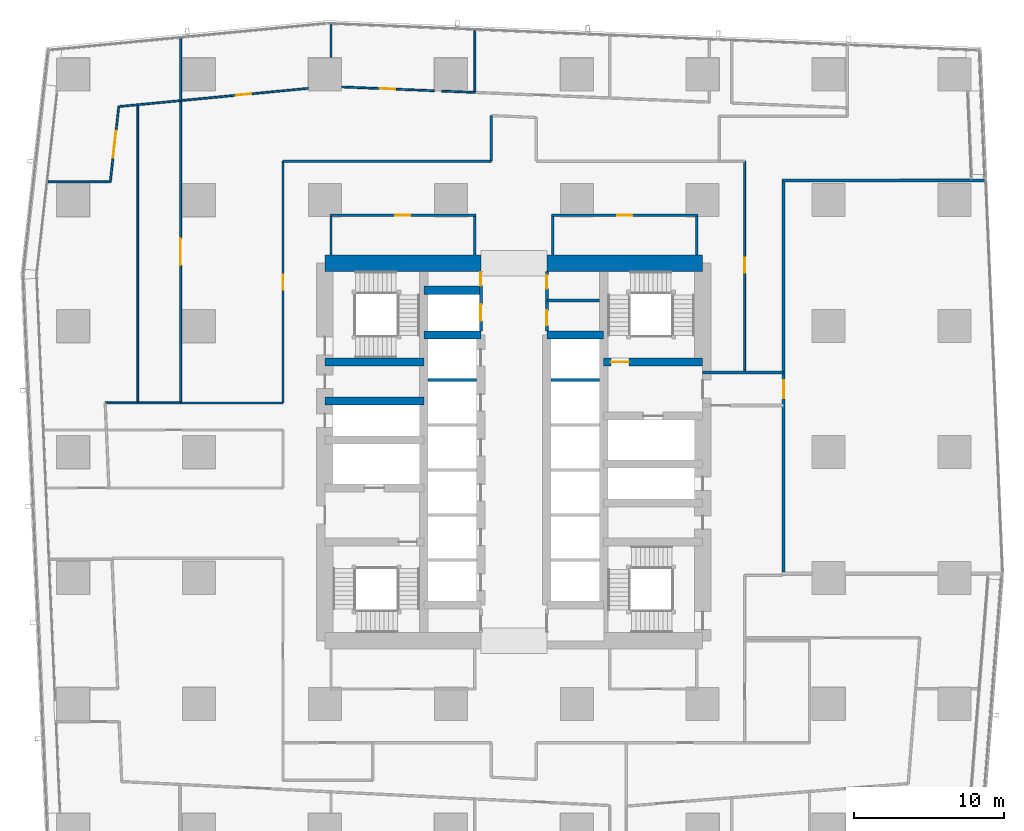
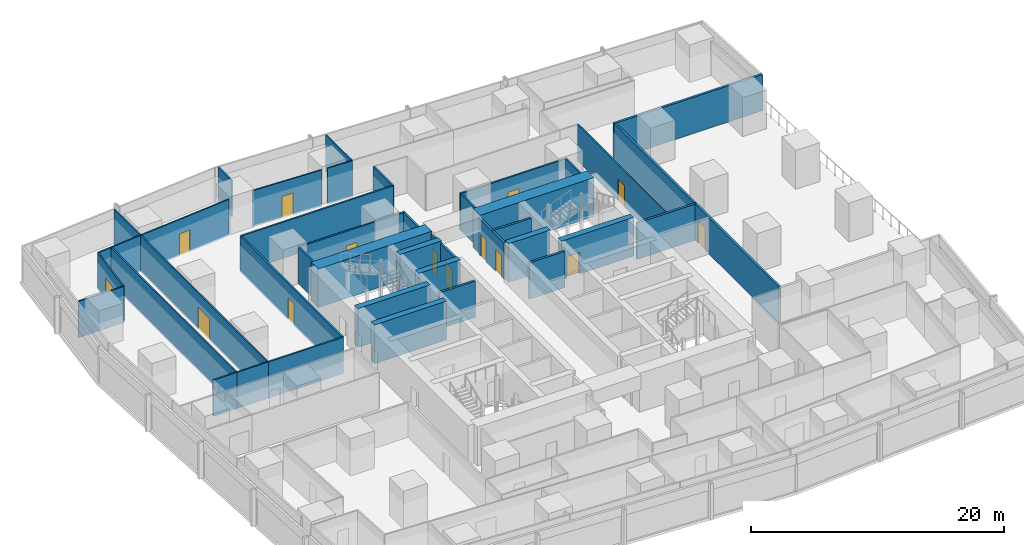
# One storey, part 32 of 42: 40 walls, 14 doors, 14 openings.
"""IFC4 building model written with IfcOpenShell, lengths in metres."""

from ifc_helpers import new_model, si_unit, direction, frame, frame_2d, origin, place, context, subcontext, project, spatial, rectangle, extrude, material, layer, layer_set, type_object, element, fill, save


model = new_model("IFC4")

# Units and contexts
model_context = context("Model", 3, precision=1e-05, world=origin(), true_north=direction((0.0, 1.0)))
body_context = subcontext(model_context, "Body", "Model", "MODEL_VIEW")
ifc_project = project(units=[si_unit("LENGTHUNIT", "METRE"), si_unit("AREAUNIT", "SQUARE_METRE"), si_unit("VOLUMEUNIT", "CUBIC_METRE"), si_unit("PLANEANGLEUNIT", "RADIAN"), si_unit("MASSUNIT", "GRAM", prefix="KILO")], contexts=[model_context])

# Site, building, storey
site_placement = place(None, origin())
site = spatial("IfcSite", under=ifc_project, at=site_placement, CompositionType="ELEMENT")
building_placement = place(site_placement, origin())
building = spatial("IfcBuilding", under=site, at=building_placement, Name="Rekha Terrace Tower", CompositionType="ELEMENT")
storey_placement = place(building_placement, frame((0.0, 0.0, 40.39990234375)))
storey = spatial("IfcBuildingStorey", under=building, at=storey_placement, Name="L09", CompositionType="ELEMENT", Elevation=40.39990234375)

# Walls
ifc_material_1 = material(Name="Concrete M70", Category="concrete")
ifc_layer_1 = layer(ifc_material_1, 0.550048828125)
ifc_layer_set_1 = layer_set([ifc_layer_1], Name="Concrete M70")
wall_type_1 = type_object("IfcWallType", Name="CI1 550 core internal shear wall", PredefinedType="SHEAR", material=ifc_layer_set_1)
for number, where, z_axis, x_axis, name in (
    (1, (31.800048828125, 41.39990234375, 0.0), (0.0, 0.0, 1.0), (1.0, 0.0, 0.0), "Core wall Y414W L09"),
    (2, (31.800048828125, 44.39990234375, 0.0), (0.0, 0.0, 1.0), (1.0, 0.0, 0.0), "Core wall Y444W L09"),
    (3, (40.0, 41.39990234375, 0.0), (0.0, 0.0, 1.0), (1.0, 0.0, 0.0), "Core wall Y414E L09"),
):
    element("IfcWall", number, at=place(storey_placement, frame(where, z_axis=z_axis, x_axis=x_axis)), inside=storey, type_object=wall_type_1, Name=name, PredefinedType="SHEAR", context=body_context, shape_type="SweptSolid", body=[
        extrude(rectangle(XDim=3.800048828125, YDim=0.550048828125, at=frame_2d((1.89990234375, 0.0))), origin(), (0.0, 0.0, 1.0), 3.75),
    ])
for number, where, z_axis, x_axis, name in (
    (4, (25.199951171875, 37.0, 0.0), (0.0, 0.0, 1.0), (1.0, 0.0, 0.0), "Core wall Y370W L09"),
    (5, (25.199951171875, 39.60009765625, 0.0), (0.0, 0.0, 1.0), (1.0, 0.0, 0.0), "Core wall Y396W L09"),
):
    element("IfcWall", number, at=place(storey_placement, frame(where, z_axis=z_axis, x_axis=x_axis)), inside=storey, type_object=wall_type_1, Name=name, PredefinedType="SHEAR", context=body_context, shape_type="SweptSolid", body=[
        extrude(rectangle(XDim=6.60009765625, YDim=0.550048828125, at=frame_2d((3.300048828125, 0.0))), origin(), (0.0, 0.0, 1.0), 3.75),
    ])

# Wall, opening, door
wall_1_placement = place(storey_placement, frame((43.800048828125, 39.60009765625, 0.0), z_axis=(0.0, 0.0, 1.0), x_axis=(1.0, 0.0, 0.0)))
wall_1 = element("IfcWall", 6, at=wall_1_placement, inside=storey, type_object=wall_type_1, Name="Core wall Y396E L09", PredefinedType="SHEAR", context=body_context, shape_type="SweptSolid", body=[
    extrude(rectangle(XDim=6.599853515625, YDim=0.550048828125, at=frame_2d((3.2998046875, 0.0))), origin(), (0.0, 0.0, 1.0), 3.75),
])
opening_1_placement = place(wall_1_placement, frame((0.47509765625, 0.0, 0.0)))
opening_1 = element("IfcOpeningElement", 7, at=opening_1_placement, cuts=wall_1, Name="Opening D1", PredefinedType="OPENING", context=body_context, shape_type="SweptSolid", body=[
    extrude(rectangle(XDim=1.199951171875, YDim=2.10009765625, at=frame_2d((0.60009765625, 1.050048828125))), frame((0.0, 0.284912109375, 0.0), z_axis=(0.0, -1.0, 0.0), x_axis=(1.0, 0.0, 0.0)), (0.0, 0.0, 1.0), 0.570068359375),
])
ifc_material_2 = material(Name="Steel fire door", Category="steel")
door_type_1 = type_object("IfcDoorType", Name="D1 1200x2100 stair fire door", OperationType="SINGLE_SWING_RIGHT", PredefinedType="DOOR", material=ifc_material_2)
door_1_placement = place(opening_1_placement, origin())
door_1 = element("IfcDoor", 8, at=door_1_placement, inside=storey, type_object=door_type_1, Name="Stair ST2 door L09", OperationType="SINGLE_SWING_RIGHT", OverallHeight=2.10009765625, OverallWidth=1.199951171875, PredefinedType="DOOR", context=body_context, shape_type="SweptSolid", body=[
    extrude(rectangle(XDim=1.199951171875, YDim=2.10009765625, at=frame_2d((0.60009765625, 1.050048828125))), frame((0.0, 0.02490234375, 0.0), z_axis=(0.0, -1.0, 0.0), x_axis=(1.0, 0.0, 0.0)), (0.0, 0.0, 1.0), 0.050048828125),
])
fill(opening_1, door_1)

# Walls
ifc_layer_2 = layer(ifc_material_1, 1.10009765625)
ifc_layer_set_2 = layer_set([ifc_layer_2], Name="Concrete M70")
wall_type_2 = type_object("IfcWallType", Name="SW1 1100 core outer shear wall", PredefinedType="SHEAR", material=ifc_layer_set_2)
wall_2_placement = place(storey_placement, frame((25.199951171875, 46.199951171875, 0.0), z_axis=(0.0, 0.0, 1.0), x_axis=(1.0, 0.0, 0.0)))
element("IfcWall", 9, at=wall_2_placement, inside=storey, type_object=wall_type_2, Name="Core wall N1 L09", PredefinedType="SHEAR", context=body_context, shape_type="SweptSolid", body=[
    extrude(rectangle(XDim=10.400146484375, YDim=1.10009765625, at=frame_2d((5.2001953125, 0.0))), origin(), (0.0, 0.0, 1.0), 3.75),
])
wall_3_placement = place(storey_placement, frame((40.0, 46.199951171875, 0.0), z_axis=(0.0, 0.0, 1.0), x_axis=(1.0, 0.0, 0.0)))
element("IfcWall", 10, at=wall_3_placement, inside=storey, type_object=wall_type_2, Name="Core wall N2 L09", PredefinedType="SHEAR", context=body_context, shape_type="SweptSolid", body=[
    extrude(rectangle(XDim=10.39990234375, YDim=1.10009765625, at=frame_2d((5.199951171875, 0.0))), origin(), (0.0, 0.0, 1.0), 3.75),
])

# Wall, opening, door
ifc_material_3 = material(Name="Concrete block masonry, 1 hour", Category="masonry")
ifc_layer_3 = layer(ifc_material_3, 0.14990234375)
ifc_layer_set_3 = layer_set([ifc_layer_3], Name="Concrete block masonry, 1 hour")
wall_type_3 = type_object("IfcWallType", Name="WP2 150 tenancy partition", PredefinedType="PARTITIONING", material=ifc_layer_set_3)
wall_4_placement = place(storey_placement, frame((40.324951171875, 49.39990234375, 0.0), z_axis=(0.0, 0.0, 1.0), x_axis=(1.0, 0.0, 0.0)))
wall_4 = element("IfcWall", 11, at=wall_4_placement, inside=storey, type_object=wall_type_3, Name="Women's WC wall L09", PredefinedType="PARTITIONING", context=body_context, shape_type="SweptSolid", body=[
    extrude(rectangle(XDim=9.75, YDim=0.14990234375, at=frame_2d((4.875, 0.0))), origin(), (0.0, 0.0, 1.0), 3.5),
])
opening_2_placement = place(wall_4_placement, frame((4.375, 0.0, 0.0)))
opening_2 = element("IfcOpeningElement", 12, at=opening_2_placement, cuts=wall_4, Name="Opening D3", PredefinedType="OPENING", context=body_context, shape_type="SweptSolid", body=[
    extrude(rectangle(XDim=1.0, YDim=2.10009765625, at=frame_2d((0.5, 1.050048828125))), frame((0.0, 0.0849609375, 0.0), z_axis=(0.0, -1.0, 0.0), x_axis=(1.0, 0.0, 0.0)), (0.0, 0.0, 1.0), 0.169921875),
])
ifc_material_4 = material(Name="Laminated timber fire door", Category="wood")
door_type_2 = type_object("IfcDoorType", Name="D3 1000x2100 WC door", OperationType="SINGLE_SWING_LEFT", PredefinedType="DOOR", material=ifc_material_4)
door_2_placement = place(opening_2_placement, origin())
door_2 = element("IfcDoor", 13, at=door_2_placement, inside=storey, type_object=door_type_2, Name="Door women's wc L09", OperationType="SINGLE_SWING_LEFT", OverallHeight=2.10009765625, OverallWidth=1.0, PredefinedType="DOOR", context=body_context, shape_type="SweptSolid", body=[
    extrude(rectangle(XDim=1.0, YDim=2.10009765625, at=frame_2d((0.5, 1.050048828125))), frame((0.0, 0.02490234375, 0.0), z_axis=(0.0, -1.0, 0.0), x_axis=(1.0, 0.0, 0.0)), (0.0, 0.0, 1.0), 0.050048828125),
])
fill(opening_2, door_2)

# Walls
for number, where, z_axis, x_axis, name in (
    (14, (40.39990234375, 46.75, 0.0), (0.0, 0.0, 1.0), (0.0, 1.0, 0.0), "Women's WC wall L09"),
    (15, (50.0, 46.75, 0.0), (0.0, 0.0, 1.0), (0.0, 1.0, 0.0), "Women's WC wall L09"),
):
    element("IfcWall", number, at=place(storey_placement, frame(where, z_axis=z_axis, x_axis=x_axis)), inside=storey, type_object=wall_type_3, Name=name, PredefinedType="PARTITIONING", context=body_context, shape_type="SweptSolid", body=[
        extrude(rectangle(XDim=2.574951171875, YDim=0.14990234375, at=frame_2d((1.28759765625, 0.0))), origin(), (0.0, 0.0, 1.0), 3.5),
    ])

# Wall, opening, door
wall_5_placement = place(storey_placement, frame((25.52490234375, 49.39990234375, 0.0), z_axis=(0.0, 0.0, 1.0), x_axis=(1.0, 0.0, 0.0)))
wall_5 = element("IfcWall", 16, at=wall_5_placement, inside=storey, type_object=wall_type_3, Name="Women's WC wall L09", PredefinedType="PARTITIONING", context=body_context, shape_type="SweptSolid", body=[
    extrude(rectangle(XDim=9.75, YDim=0.14990234375, at=frame_2d((4.875, 0.0))), origin(), (0.0, 0.0, 1.0), 3.5),
])
opening_3_placement = place(wall_5_placement, frame((4.375, 0.0, 0.0)))
opening_3 = element("IfcOpeningElement", 17, at=opening_3_placement, cuts=wall_5, Name="Opening D3", PredefinedType="OPENING", context=body_context, shape_type="SweptSolid", body=[
    extrude(rectangle(XDim=1.0, YDim=2.10009765625, at=frame_2d((0.5, 1.050048828125))), frame((0.0, 0.0849609375, 0.0), z_axis=(0.0, -1.0, 0.0), x_axis=(1.0, 0.0, 0.0)), (0.0, 0.0, 1.0), 0.169921875),
])
door_3_placement = place(opening_3_placement, origin())
door_3 = element("IfcDoor", 18, at=door_3_placement, inside=storey, type_object=door_type_2, Name="Door women's wc L09", OperationType="SINGLE_SWING_LEFT", OverallHeight=2.10009765625, OverallWidth=1.0, PredefinedType="DOOR", context=body_context, shape_type="SweptSolid", body=[
    extrude(rectangle(XDim=1.0, YDim=2.10009765625, at=frame_2d((0.5, 1.050048828125))), frame((0.0, 0.02490234375, 0.0), z_axis=(0.0, -1.0, 0.0), x_axis=(1.0, 0.0, 0.0)), (0.0, 0.0, 1.0), 0.050048828125),
])
fill(opening_3, door_3)

# Walls
for number, where, z_axis, x_axis, name in (
    (19, (25.60009765625, 46.75, 0.0), (0.0, 0.0, 1.0), (0.0, 1.0, 0.0), "Women's WC wall L09"),
    (20, (35.199951171875, 46.75, 0.0), (0.0, 0.0, 1.0), (0.0, 1.0, 0.0), "Women's WC wall L09"),
):
    element("IfcWall", number, at=place(storey_placement, frame(where, z_axis=z_axis, x_axis=x_axis)), inside=storey, type_object=wall_type_3, Name=name, PredefinedType="PARTITIONING", context=body_context, shape_type="SweptSolid", body=[
        extrude(rectangle(XDim=2.574951171875, YDim=0.14990234375, at=frame_2d((1.28759765625, 0.0))), origin(), (0.0, 0.0, 1.0), 3.5),
    ])
wall_6_placement = place(storey_placement, frame((36.300048828125, 56.04296875, 0.0), z_axis=(0.0, 0.0, 1.0), x_axis=(0.0, -1.0, 0.0)))
element("IfcWall", 21, at=wall_6_placement, inside=storey, type_object=wall_type_3, Name="Partition L09-O3", PredefinedType="PARTITIONING", context=body_context, shape_type="SweptSolid", body=[
    extrude(rectangle(XDim=3.04296875, YDim=0.14990234375, at=frame_2d((1.521484375, 0.0))), origin(), (0.0, 0.0, 1.0), 3.5),
])
wall_7_placement = place(storey_placement, frame((36.300048828125, 53.0, 0.0), z_axis=(0.0, 0.0, 1.0), x_axis=(-1.0, 0.0, 0.0)))
element("IfcWall", 22, at=wall_7_placement, inside=storey, type_object=wall_type_3, Name="Partition L09-O3", PredefinedType="PARTITIONING", context=body_context, shape_type="SweptSolid", body=[
    extrude(rectangle(XDim=13.900146484375, YDim=0.14990234375, at=frame_2d((6.9501953125, 0.0))), origin(), (0.0, 0.0, 1.0), 3.5),
])

# Wall, opening, door
wall_8_placement = place(storey_placement, frame((22.39990234375, 53.0, 0.0), z_axis=(0.0, 0.0, 1.0), x_axis=(0.0, -1.0, 0.0)))
wall_8 = element("IfcWall", 23, at=wall_8_placement, inside=storey, type_object=wall_type_3, Name="Partition L09-O3", PredefinedType="PARTITIONING", context=body_context, shape_type="SweptSolid", body=[
    extrude(rectangle(XDim=16.1220703125, YDim=0.14990234375, at=frame_2d((8.06103515625, 0.0))), origin(), (0.0, 0.0, 1.0), 3.5),
])
opening_4_placement = place(wall_8_placement, frame((7.56103515625, 0.0, 0.0)))
opening_4 = element("IfcOpeningElement", 24, at=opening_4_placement, cuts=wall_8, Name="Opening D9", PredefinedType="OPENING", context=body_context, shape_type="SweptSolid", body=[
    extrude(rectangle(XDim=1.0, YDim=2.10009765625, at=frame_2d((0.5, 1.050048828125))), frame((0.0, 0.0849609375, 0.0), z_axis=(0.0, -1.0, 0.0), x_axis=(1.0, 0.0, 0.0)), (0.0, 0.0, 1.0), 0.169921875),
])
ifc_material_5 = material(Name="Timber fire door", Category="wood")
door_type_3 = type_object("IfcDoorType", Name="D9 1000x2100 office door", OperationType="SINGLE_SWING_LEFT", PredefinedType="DOOR", material=ifc_material_5)
door_4_placement = place(opening_4_placement, origin())
door_4 = element("IfcDoor", 25, at=door_4_placement, inside=storey, type_object=door_type_3, Name="Door open-plan office L09", OperationType="SINGLE_SWING_LEFT", OverallHeight=2.10009765625, OverallWidth=1.0, PredefinedType="DOOR", context=body_context, shape_type="SweptSolid", body=[
    extrude(rectangle(XDim=1.0, YDim=2.10009765625, at=frame_2d((0.5, 1.050048828125))), frame((0.0, 0.02490234375, 0.0), z_axis=(0.0, -1.0, 0.0), x_axis=(1.0, 0.0, 0.0)), (0.0, 0.0, 1.0), 0.050048828125),
])
fill(opening_4, door_4)

# Wall
wall_9_placement = place(storey_placement, frame((22.39990234375, 36.8779296875, 0.0), z_axis=(0.0, 0.0, 1.0), x_axis=(-1.0, 0.0, 0.0)))
element("IfcWall", 26, at=wall_9_placement, inside=storey, type_object=wall_type_3, Name="Partition L09-O3", PredefinedType="PARTITIONING", context=body_context, shape_type="SweptSolid", body=[
    extrude(rectangle(XDim=6.827880859375, YDim=0.14990234375, at=frame_2d((3.4140625, 0.0))), origin(), (0.0, 0.0, 1.0), 3.5),
])

# Wall, opening, door
ifc_material_6 = material(Name="Two layers of fire-rated gypsum board each side on steel studs, acoustic quilt, 1 hour", Category="steel")
ifc_layer_4 = layer(ifc_material_6, 0.125)
ifc_layer_set_4 = layer_set([ifc_layer_4], Name="Two layers of fire-rated gypsum board each side on steel studs, acoustic quilt, 1 hour")
wall_type_4 = type_object("IfcWallType", Name="WP3 125 office partition", PredefinedType="PARTITIONING", material=ifc_layer_set_4)
wall_10_placement = place(storey_placement, frame((53.199951171875, 39.010986328125, 0.0), z_axis=(0.0, 0.0, 1.0), x_axis=(0.0, 1.0, 0.0)))
wall_10 = element("IfcWall", 27, at=wall_10_placement, inside=storey, type_object=wall_type_4, Name="Partition L09-06", PredefinedType="PARTITIONING", context=body_context, shape_type="SweptSolid", body=[
    extrude(rectangle(XDim=13.989013671875, YDim=0.125, at=frame_2d((6.99462890625, 0.0))), origin(), (0.0, 0.0, 1.0), 3.5),
])
opening_5_placement = place(wall_10_placement, frame((6.56396484375, 0.0, 0.0)))
opening_5 = element("IfcOpeningElement", 28, at=opening_5_placement, cuts=wall_10, Name="Opening D9", PredefinedType="OPENING", context=body_context, shape_type="SweptSolid", body=[
    extrude(rectangle(XDim=1.0, YDim=2.10009765625, at=frame_2d((0.5, 1.050048828125))), frame((0.0, 0.072509765625, 0.0), z_axis=(0.0, -1.0, 0.0), x_axis=(1.0, 0.0, 0.0)), (0.0, 0.0, 1.0), 0.14501953125),
])
door_5_placement = place(opening_5_placement, origin())
door_5 = element("IfcDoor", 29, at=door_5_placement, inside=storey, type_object=door_type_3, Name="Door manager's office L09", OperationType="SINGLE_SWING_LEFT", OverallHeight=2.10009765625, OverallWidth=1.0, PredefinedType="DOOR", context=body_context, shape_type="SweptSolid", body=[
    extrude(rectangle(XDim=1.0, YDim=2.10009765625, at=frame_2d((0.5, 1.050048828125))), frame((0.0, 0.02490234375, 0.0), z_axis=(0.0, -1.0, 0.0), x_axis=(1.0, 0.0, 0.0)), (0.0, 0.0, 1.0), 0.050048828125),
])
fill(opening_5, door_5)

# Walls
wall_11_placement = place(storey_placement, frame((35.199951171875, 57.589111328125, 0.0), z_axis=(0.0, 0.0, 1.0), x_axis=(0.0, 1.0, 0.0)))
element("IfcWall", 30, at=wall_11_placement, inside=storey, type_object=wall_type_4, Name="Partition L09-07", PredefinedType="PARTITIONING", context=body_context, shape_type="SweptSolid", body=[
    extrude(rectangle(XDim=4.123779296875, YDim=0.125, at=frame_2d((2.06201171875, 0.0))), origin(), (0.0, 0.0, 1.0), 3.5),
])
wall_12_placement = place(storey_placement, frame((35.198974609375, 57.589111328125, 0.0), z_axis=(0.0, 0.0, 1.0), x_axis=(-0.999153646456, 0.041133815458, 0.0)))
element("IfcWall", 31, at=wall_12_placement, inside=storey, type_object=wall_type_4, Name="Partition L09-08", PredefinedType="PARTITIONING", context=body_context, shape_type="SweptSolid", body=[
    extrude(rectangle(XDim=2.2080078125, YDim=0.125, at=frame_2d((1.10400390625, 0.0))), origin(), (0.0, 0.0, 1.0), 3.5),
])

# Wall, opening, door
wall_13_placement = place(storey_placement, frame((32.47998046875, 57.700927734375, 0.0), z_axis=(0.0, 0.0, 1.0), x_axis=(-0.999149942119, 0.041223696633, 0.0)))
wall_13 = element("IfcWall", 32, at=wall_13_placement, inside=storey, type_object=wall_type_4, Name="Partition L09-08", PredefinedType="PARTITIONING", context=body_context, shape_type="SweptSolid", body=[
    extrude(rectangle(XDim=6.1650390625, YDim=0.125, at=frame_2d((3.08251953125, 0.0))), origin(), (0.0, 0.0, 1.0), 3.5),
])
opening_6_placement = place(wall_13_placement, frame((2.5830078125, 0.0, 0.0)))
opening_6 = element("IfcOpeningElement", 33, at=opening_6_placement, cuts=wall_13, Name="Opening D9", PredefinedType="OPENING", context=body_context, shape_type="SweptSolid", body=[
    extrude(rectangle(XDim=1.0, YDim=2.10009765625, at=frame_2d((0.5, 1.050048828125))), frame((0.0, 0.072509765625, 0.0), z_axis=(0.0, -1.0, 0.0), x_axis=(1.0, 0.0, 0.0)), (0.0, 0.0, 1.0), 0.14501953125),
])
door_6_placement = place(opening_6_placement, origin())
door_6 = element("IfcDoor", 34, at=door_6_placement, inside=storey, type_object=door_type_3, Name="Door office L09", OperationType="SINGLE_SWING_LEFT", OverallHeight=2.10009765625, OverallWidth=1.0, PredefinedType="DOOR", context=body_context, shape_type="SweptSolid", body=[
    extrude(rectangle(XDim=1.0, YDim=2.10009765625, at=frame_2d((0.5, 1.050048828125))), frame((0.0, 0.02490234375, 0.0), z_axis=(0.0, -1.0, 0.0), x_axis=(1.0, 0.0, 0.0)), (0.0, 0.0, 1.0), 0.050048828125),
])
fill(opening_6, door_6)

# Walls
wall_14_placement = place(storey_placement, frame((25.60205078125, 59.919921875, 0.0), z_axis=(0.0, 0.0, 1.0), x_axis=(0.0, 1.0, 0.0)))
element("IfcWall", 35, at=wall_14_placement, inside=storey, type_object=wall_type_4, Name="Partition L09-08", PredefinedType="PARTITIONING", context=body_context, shape_type="SweptSolid", body=[
    extrude(rectangle(XDim=2.18896484375, YDim=0.125, at=frame_2d((1.094482421875, 0.0))), origin(), (0.0, 0.0, 1.0), 3.5),
])
wall_15_placement = place(storey_placement, frame((15.572998046875, 57.04296875, 0.0), z_axis=(0.0, 0.0, 1.0), x_axis=(0.0, 1.0, 0.0)))
element("IfcWall", 36, at=wall_15_placement, inside=storey, type_object=wall_type_4, Name="Partition L09-09", PredefinedType="PARTITIONING", context=body_context, shape_type="SweptSolid", body=[
    extrude(rectangle(XDim=4.138916015625, YDim=0.125, at=frame_2d((2.0693359375, 0.0))), origin(), (0.0, 0.0, 1.0), 3.5),
])

# Wall, opening, door
wall_16_placement = place(storey_placement, frame((24.080078125, 57.861083984375, 0.0), z_axis=(0.0, 0.0, 1.0), x_axis=(-0.995407615834, -0.095727103477, 0.0)))
wall_16 = element("IfcWall", 37, at=wall_16_placement, inside=storey, type_object=wall_type_4, Name="Partition L09-09", PredefinedType="PARTITIONING", context=body_context, shape_type="SweptSolid", body=[
    extrude(rectangle(XDim=8.54638671875, YDim=0.125, at=frame_2d((4.273193359375, 0.0))), origin(), (0.0, 0.0, 1.0), 3.5),
])
opening_7_placement = place(wall_16_placement, frame((3.80810546875, 0.0, 0.0)))
opening_7 = element("IfcOpeningElement", 38, at=opening_7_placement, cuts=wall_16, Name="Opening D9", PredefinedType="OPENING", context=body_context, shape_type="SweptSolid", body=[
    extrude(rectangle(XDim=1.0, YDim=2.10009765625, at=frame_2d((0.5, 1.050048828125))), frame((0.0, 0.072509765625, 0.0), z_axis=(0.0, -1.0, 0.0), x_axis=(1.0, 0.0, 0.0)), (0.0, 0.0, 1.0), 0.14501953125),
])
door_7_placement = place(opening_7_placement, origin())
door_7 = element("IfcDoor", 39, at=door_7_placement, inside=storey, type_object=door_type_3, Name="Door office L09", OperationType="SINGLE_SWING_LEFT", OverallHeight=2.10009765625, OverallWidth=1.0, PredefinedType="DOOR", context=body_context, shape_type="SweptSolid", body=[
    extrude(rectangle(XDim=1.0, YDim=2.10009765625, at=frame_2d((0.5, 1.050048828125))), frame((0.0, 0.02490234375, 0.0), z_axis=(0.0, -1.0, 0.0), x_axis=(1.0, 0.0, 0.0)), (0.0, 0.0, 1.0), 0.050048828125),
])
fill(opening_7, door_7)

# Wall
wall_17_placement = place(storey_placement, frame((15.572021484375, 57.04296875, 0.0), z_axis=(0.0, 0.0, 1.0), x_axis=(-0.995399090968, -0.095815706957, 0.0)))
element("IfcWall", 40, at=wall_17_placement, inside=storey, type_object=wall_type_4, Name="Partition L09-10", PredefinedType="PARTITIONING", context=body_context, shape_type="SweptSolid", body=[
    extrude(rectangle(XDim=4.14306640625, YDim=0.125, at=frame_2d((2.071533203125, 0.0))), origin(), (0.0, 0.0, 1.0), 3.5),
])

# Wall, opening, door
wall_18_placement = place(storey_placement, frame((11.447998046875, 56.64599609375, 0.0), z_axis=(0.0, 0.0, 1.0), x_axis=(-0.111676223133, -0.993744645866, 0.0)))
wall_18 = element("IfcWall", 41, at=wall_18_placement, inside=storey, type_object=wall_type_4, Name="Partition L09-10", PredefinedType="PARTITIONING", context=body_context, shape_type="SweptSolid", body=[
    extrude(rectangle(XDim=5.058837890625, YDim=0.125, at=frame_2d((2.529296875, 0.0))), origin(), (0.0, 0.0, 1.0), 3.5),
])
opening_8_placement = place(wall_18_placement, frame((1.62890625, 0.0, 0.0)))
opening_8 = element("IfcOpeningElement", 42, at=opening_8_placement, cuts=wall_18, Name="Opening D8", PredefinedType="OPENING", context=body_context, shape_type="SweptSolid", body=[
    extrude(rectangle(XDim=1.800048828125, YDim=2.10009765625, at=frame_2d((0.89990234375, 1.050048828125))), frame((0.0, 0.072509765625, 0.0), z_axis=(0.0, -1.0, 0.0), x_axis=(1.0, 0.0, 0.0)), (0.0, 0.0, 1.0), 0.14501953125),
])
door_type_4 = type_object("IfcDoorType", Name="D8 1800x2100 double leaf door", OperationType="DOUBLE_DOOR_SINGLE_SWING", PredefinedType="DOOR", material=ifc_material_5)
door_8_placement = place(opening_8_placement, origin())
door_8 = element("IfcDoor", 43, at=door_8_placement, inside=storey, type_object=door_type_4, Name="Door meeting room L09", OperationType="DOUBLE_DOOR_SINGLE_SWING", OverallHeight=2.10009765625, OverallWidth=1.800048828125, PredefinedType="DOOR", context=body_context, shape_type="SweptSolid", body=[
    extrude(rectangle(XDim=1.800048828125, YDim=2.10009765625, at=frame_2d((0.89990234375, 1.050048828125))), frame((0.0, 0.02490234375, 0.0), z_axis=(0.0, -1.0, 0.0), x_axis=(1.0, 0.0, 0.0)), (0.0, 0.0, 1.0), 0.050048828125),
])
fill(opening_8, door_8)

# Walls
wall_19_placement = place(storey_placement, frame((10.883056640625, 51.618896484375, 0.0), z_axis=(0.0, 0.0, 1.0), x_axis=(-1.0, 0.0, 0.0)))
element("IfcWall", 44, at=wall_19_placement, inside=storey, type_object=wall_type_4, Name="Partition L09-10", PredefinedType="PARTITIONING", context=body_context, shape_type="SweptSolid", body=[
    extrude(rectangle(XDim=4.14599609375, YDim=0.125, at=frame_2d((2.072998046875, 0.0))), origin(), (0.0, 0.0, 1.0), 3.5),
])
wall_20_placement = place(storey_placement, frame((12.717041015625, 56.705078125, 0.0), z_axis=(0.0, 0.0, 1.0), x_axis=(0.0, -1.0, 0.0)))
element("IfcWall", 45, at=wall_20_placement, inside=storey, type_object=wall_type_4, Name="Partition L09-11", PredefinedType="PARTITIONING", context=body_context, shape_type="SweptSolid", body=[
    extrude(rectangle(XDim=19.8271484375, YDim=0.125, at=frame_2d((9.91357421875, 0.0))), origin(), (0.0, 0.0, 1.0), 3.5),
])
wall_21_placement = place(storey_placement, frame((12.717041015625, 36.8779296875, 0.0), z_axis=(0.0, 0.0, 1.0), x_axis=(-1.0, 0.0, 0.0)))
element("IfcWall", 46, at=wall_21_placement, inside=storey, type_object=wall_type_4, Name="Partition L09-11", PredefinedType="PARTITIONING", context=body_context, shape_type="SweptSolid", body=[
    extrude(rectangle(XDim=2.176025390625, YDim=0.125, at=frame_2d((1.087890625, 0.0))), origin(), (0.0, 0.0, 1.0), 3.5),
])

# Wall, opening, door
wall_22_placement = place(storey_placement, frame((15.572021484375, 57.04296875, 0.0), z_axis=(0.0, 0.0, 1.0), x_axis=(0.0, -1.0, 0.0)))
wall_22 = element("IfcWall", 47, at=wall_22_placement, inside=storey, type_object=wall_type_4, Name="Partition L09-12", PredefinedType="PARTITIONING", context=body_context, shape_type="SweptSolid", body=[
    extrude(rectangle(XDim=20.1650390625, YDim=0.125, at=frame_2d((10.08251953125, 0.0))), origin(), (0.0, 0.0, 1.0), 3.5),
])
opening_9_placement = place(wall_22_placement, frame((9.18310546875, 0.0, 0.0)))
opening_9 = element("IfcOpeningElement", 48, at=opening_9_placement, cuts=wall_22, Name="Opening D8", PredefinedType="OPENING", context=body_context, shape_type="SweptSolid", body=[
    extrude(rectangle(XDim=1.800048828125, YDim=2.10009765625, at=frame_2d((0.89990234375, 1.050048828125))), frame((0.0, 0.072509765625, 0.0), z_axis=(0.0, -1.0, 0.0), x_axis=(1.0, 0.0, 0.0)), (0.0, 0.0, 1.0), 0.14501953125),
])
door_9_placement = place(opening_9_placement, origin())
door_9 = element("IfcDoor", 49, at=door_9_placement, inside=storey, type_object=door_type_4, Name="Door storage room L09", OperationType="DOUBLE_DOOR_SINGLE_SWING", OverallHeight=2.10009765625, OverallWidth=1.800048828125, PredefinedType="DOOR", context=body_context, shape_type="SweptSolid", body=[
    extrude(rectangle(XDim=1.800048828125, YDim=2.10009765625, at=frame_2d((0.89990234375, 1.050048828125))), frame((0.0, 0.02490234375, 0.0), z_axis=(0.0, -1.0, 0.0), x_axis=(1.0, 0.0, 0.0)), (0.0, 0.0, 1.0), 0.050048828125),
])
fill(opening_9, door_9)

# Walls
wall_23_placement = place(storey_placement, frame((15.572021484375, 36.8779296875, 0.0), z_axis=(0.0, 0.0, 1.0), x_axis=(-1.0, 0.0, 0.0)))
element("IfcWall", 50, at=wall_23_placement, inside=storey, type_object=wall_type_4, Name="Partition L09-12", PredefinedType="PARTITIONING", context=body_context, shape_type="SweptSolid", body=[
    extrude(rectangle(XDim=2.85498046875, YDim=0.125, at=frame_2d((1.427490234375, 0.0))), origin(), (0.0, 0.0, 1.0), 3.5),
])
ifc_material_7 = material(Name="Solid concrete block masonry, 2 hour", Category="masonry")
ifc_layer_5 = layer(ifc_material_7, 0.199951171875)
ifc_layer_set_5 = layer_set([ifc_layer_5], Name="Solid concrete block masonry, 2 hour")
wall_type_5 = type_object("IfcWallType", Name="WS1 200 stair and shaft enclosure", PredefinedType="PARTITIONING", material=ifc_layer_set_5)
for number, where, z_axis, x_axis, name in (
    (51, (32.074951171875, 38.39990234375, 0.0), (0.0, 0.0, 1.0), (1.0, 0.0, 0.0), "Lift shaft divider L09"),
    (52, (40.27490234375, 38.39990234375, 0.0), (0.0, 0.0, 1.0), (1.0, 0.0, 0.0), "Lift shaft divider L09"),
):
    element("IfcWall", number, at=place(storey_placement, frame(where, z_axis=z_axis, x_axis=x_axis)), inside=storey, type_object=wall_type_5, Name=name, PredefinedType="PARTITIONING", context=body_context, shape_type="SweptSolid", body=[
        extrude(rectangle(XDim=3.25, YDim=0.199951171875, at=frame_2d((1.625, 0.0))), origin(), (0.0, 0.0, 1.0), 3.5),
    ])

# Wall, openings, doors
wall_24_placement = place(storey_placement, frame((40.0, 41.675048828125, 0.0), z_axis=(0.0, 0.0, 1.0), x_axis=(0.0, 1.0, 0.0)))
wall_24 = element("IfcWall", 53, at=wall_24_placement, inside=storey, type_object=wall_type_5, Name="Core partition elec L09", PredefinedType="PARTITIONING", context=body_context, shape_type="SweptSolid", body=[
    extrude(rectangle(XDim=3.974853515625, YDim=0.199951171875, at=frame_2d((1.9873046875, 0.0))), origin(), (0.0, 0.0, 1.0), 3.5),
])
opening_10_placement = place(wall_24_placement, frame((2.824951171875, 0.0, 0.0)))
opening_10 = element("IfcOpeningElement", 54, at=opening_10_placement, cuts=wall_24, Name="Opening D5", PredefinedType="OPENING", context=body_context, shape_type="SweptSolid", body=[
    extrude(rectangle(XDim=0.89990234375, YDim=2.10009765625, at=frame_2d((0.449951171875, 1.050048828125))), frame((0.0, 0.10986328125, 0.0), z_axis=(0.0, -1.0, 0.0), x_axis=(1.0, 0.0, 0.0)), (0.0, 0.0, 1.0), 0.219970703125),
])
opening_11_placement = place(wall_24_placement, frame((0.375, 0.0, 0.0)))
opening_11 = element("IfcOpeningElement", 55, at=opening_11_placement, cuts=wall_24, Name="Opening D9", PredefinedType="OPENING", context=body_context, shape_type="SweptSolid", body=[
    extrude(rectangle(XDim=1.0, YDim=2.10009765625, at=frame_2d((0.5, 1.050048828125))), frame((0.0, 0.10986328125, 0.0), z_axis=(0.0, -1.0, 0.0), x_axis=(1.0, 0.0, 0.0)), (0.0, 0.0, 1.0), 0.219970703125),
])
door_type_5 = type_object("IfcDoorType", Name="D5 900x2100 riser access door", OperationType="SINGLE_SWING_LEFT", PredefinedType="DOOR", material=ifc_material_2)
door_10_placement = place(opening_10_placement, origin())
door_10 = element("IfcDoor", 56, at=door_10_placement, inside=storey, type_object=door_type_5, Name="Door electrical room L09", OperationType="SINGLE_SWING_LEFT", OverallHeight=2.10009765625, OverallWidth=0.89990234375, PredefinedType="DOOR", context=body_context, shape_type="SweptSolid", body=[
    extrude(rectangle(XDim=0.89990234375, YDim=2.10009765625, at=frame_2d((0.449951171875, 1.050048828125))), frame((0.0, 0.02490234375, 0.0), z_axis=(0.0, -1.0, 0.0), x_axis=(1.0, 0.0, 0.0)), (0.0, 0.0, 1.0), 0.050048828125),
])
fill(opening_10, door_10)
door_11_placement = place(opening_11_placement, origin())
door_11 = element("IfcDoor", 57, at=door_11_placement, inside=storey, type_object=door_type_3, Name="Door first aid room L09", OperationType="SINGLE_SWING_LEFT", OverallHeight=2.10009765625, OverallWidth=1.0, PredefinedType="DOOR", context=body_context, shape_type="SweptSolid", body=[
    extrude(rectangle(XDim=1.0, YDim=2.10009765625, at=frame_2d((0.5, 1.050048828125))), frame((0.0, 0.02490234375, 0.0), z_axis=(0.0, -1.0, 0.0), x_axis=(1.0, 0.0, 0.0)), (0.0, 0.0, 1.0), 0.050048828125),
])
fill(opening_11, door_11)

wall_25_placement = place(storey_placement, frame((35.60009765625, 41.675048828125, 0.0), z_axis=(0.0, 0.0, 1.0), x_axis=(0.0, 1.0, 0.0)))
wall_25 = element("IfcWall", 58, at=wall_25_placement, inside=storey, type_object=wall_type_5, Name="Core partition jansv L09", PredefinedType="PARTITIONING", context=body_context, shape_type="SweptSolid", body=[
    extrude(rectangle(XDim=3.974853515625, YDim=0.199951171875, at=frame_2d((1.9873046875, 0.0))), origin(), (0.0, 0.0, 1.0), 3.5),
])
opening_12_placement = place(wall_25_placement, frame((3.02490234375, 0.0, 0.0)))
opening_12 = element("IfcOpeningElement", 59, at=opening_12_placement, cuts=wall_25, Name="Opening D5", PredefinedType="OPENING", context=body_context, shape_type="SweptSolid", body=[
    extrude(rectangle(XDim=0.89990234375, YDim=2.10009765625, at=frame_2d((0.449951171875, 1.050048828125))), frame((0.0, 0.10986328125, 0.0), z_axis=(0.0, -1.0, 0.0), x_axis=(1.0, 0.0, 0.0)), (0.0, 0.0, 1.0), 0.219970703125),
])
opening_13_placement = place(wall_25_placement, frame((0.675048828125, 0.0, 0.0)))
opening_13 = element("IfcOpeningElement", 60, at=opening_13_placement, cuts=wall_25, Name="Opening LD1", PredefinedType="OPENING", context=body_context, shape_type="SweptSolid", body=[
    extrude(rectangle(XDim=1.10009765625, YDim=2.10009765625, at=frame_2d((0.550048828125, 1.050048828125))), frame((0.0, 0.10986328125, 0.0), z_axis=(0.0, -1.0, 0.0), x_axis=(1.0, 0.0, 0.0)), (0.0, 0.0, 1.0), 0.219970703125),
])
door_12_placement = place(opening_12_placement, origin())
door_12 = element("IfcDoor", 61, at=door_12_placement, inside=storey, type_object=door_type_5, Name="Door janitor room L09", OperationType="SINGLE_SWING_LEFT", OverallHeight=2.10009765625, OverallWidth=0.89990234375, PredefinedType="DOOR", context=body_context, shape_type="SweptSolid", body=[
    extrude(rectangle(XDim=0.89990234375, YDim=2.10009765625, at=frame_2d((0.449951171875, 1.050048828125))), frame((0.0, 0.02490234375, 0.0), z_axis=(0.0, -1.0, 0.0), x_axis=(1.0, 0.0, 0.0)), (0.0, 0.0, 1.0), 0.050048828125),
])
fill(opening_12, door_12)
ifc_material_8 = material(Name="Stainless steel sliding landing door", Category="steel")
door_type_6 = type_object("IfcDoorType", Name="LD1 1100x2100 lift landing door", OperationType="SLIDING_TO_LEFT", PredefinedType="USERDEFINED", material=ifc_material_8)
door_13_placement = place(opening_13_placement, origin())
door_13 = element("IfcDoor", 62, at=door_13_placement, inside=storey, type_object=door_type_6, Name="Lift SV1 landing door L09", ObjectType="LIFT LANDING DOOR", OperationType="SLIDING_TO_LEFT", OverallHeight=2.10009765625, OverallWidth=1.10009765625, PredefinedType="USERDEFINED", context=body_context, shape_type="SweptSolid", body=[
    extrude(rectangle(XDim=1.10009765625, YDim=2.10009765625, at=frame_2d((0.550048828125, 1.050048828125))), frame((0.0, 0.02490234375, 0.0), z_axis=(0.0, -1.0, 0.0), x_axis=(1.0, 0.0, 0.0)), (0.0, 0.0, 1.0), 0.050048828125),
])
fill(opening_13, door_13)

# Wall
wall_26_placement = place(storey_placement, frame((40.0, 43.699951171875, 0.0), z_axis=(0.0, 0.0, 1.0), x_axis=(1.0, 0.0, 0.0)))
element("IfcWall", 63, at=wall_26_placement, inside=storey, type_object=wall_type_5, Name="Core partition elx L09", PredefinedType="PARTITIONING", context=body_context, shape_type="SweptSolid", body=[
    extrude(rectangle(XDim=3.52490234375, YDim=0.199951171875, at=frame_2d((1.762451171875, 0.0))), origin(), (0.0, 0.0, 1.0), 3.5),
])

# Wall, opening, door
wall_27_placement = place(storey_placement, frame((55.800048828125, 25.60302734375, 0.0), z_axis=(0.0, 0.0, 1.0), x_axis=(0.0, 1.0, 0.0)))
wall_27 = element("IfcWall", 64, at=wall_27_placement, inside=storey, type_object=wall_type_5, Name="Refuge area inner wall L09", PredefinedType="PARTITIONING", context=body_context, shape_type="SweptSolid", body=[
    extrude(rectangle(XDim=26.007080078125, YDim=0.199951171875, at=frame_2d((13.00341796875, 0.0))), origin(), (0.0, 0.0, 1.0), 3.5),
])
opening_14_placement = place(wall_27_placement, frame((11.596923828125, 0.0, 0.0)))
opening_14 = element("IfcOpeningElement", 65, at=opening_14_placement, cuts=wall_27, Name="Opening D2", PredefinedType="OPENING", context=body_context, shape_type="SweptSolid", body=[
    extrude(rectangle(XDim=1.199951171875, YDim=2.10009765625, at=frame_2d((0.60009765625, 1.050048828125))), frame((0.0, 0.10986328125, 0.0), z_axis=(0.0, -1.0, 0.0), x_axis=(1.0, 0.0, 0.0)), (0.0, 0.0, 1.0), 0.219970703125),
])
door_type_7 = type_object("IfcDoorType", Name="D2 1200x2100 firefighting lobby door", OperationType="SINGLE_SWING_LEFT", PredefinedType="DOOR", material=ifc_material_2)
door_14_placement = place(opening_14_placement, origin())
door_14 = element("IfcDoor", 66, at=door_14_placement, inside=storey, type_object=door_type_7, Name="Refuge area door L09", OperationType="SINGLE_SWING_LEFT", OverallHeight=2.10009765625, OverallWidth=1.199951171875, PredefinedType="DOOR", context=body_context, shape_type="SweptSolid", body=[
    extrude(rectangle(XDim=1.199951171875, YDim=2.10009765625, at=frame_2d((0.60009765625, 1.050048828125))), frame((0.0, 0.02490234375, 0.0), z_axis=(0.0, -1.0, 0.0), x_axis=(1.0, 0.0, 0.0)), (0.0, 0.0, 1.0), 0.050048828125),
])
fill(opening_14, door_14)

# Walls
wall_28_placement = place(storey_placement, frame((55.699951171875, 51.7099609375, 0.0), z_axis=(0.0, 0.0, 1.0), x_axis=(1.0, 0.0, 0.0)))
element("IfcWall", 67, at=wall_28_placement, inside=storey, type_object=wall_type_5, Name="Refuge area north wall L09", PredefinedType="PARTITIONING", context=body_context, shape_type="SweptSolid", body=[
    extrude(rectangle(XDim=13.580078125, YDim=0.199951171875, at=frame_2d((6.7900390625, 0.0))), origin(), (0.0, 0.0, 1.0), 3.5),
])
wall_29_placement = place(storey_placement, frame((50.39990234375, 38.89990234375, 0.0), z_axis=(0.0, 0.0, 1.0), x_axis=(1.0, 0.0, 0.0)))
element("IfcWall", 68, at=wall_29_placement, inside=storey, type_object=wall_type_5, Name="Refuge corridor north wall L09", PredefinedType="PARTITIONING", context=body_context, shape_type="SweptSolid", body=[
    extrude(rectangle(XDim=5.400146484375, YDim=0.199951171875, at=frame_2d((2.7001953125, 0.0))), origin(), (0.0, 0.0, 1.0), 3.5),
])

save(model, "model.ifc")
